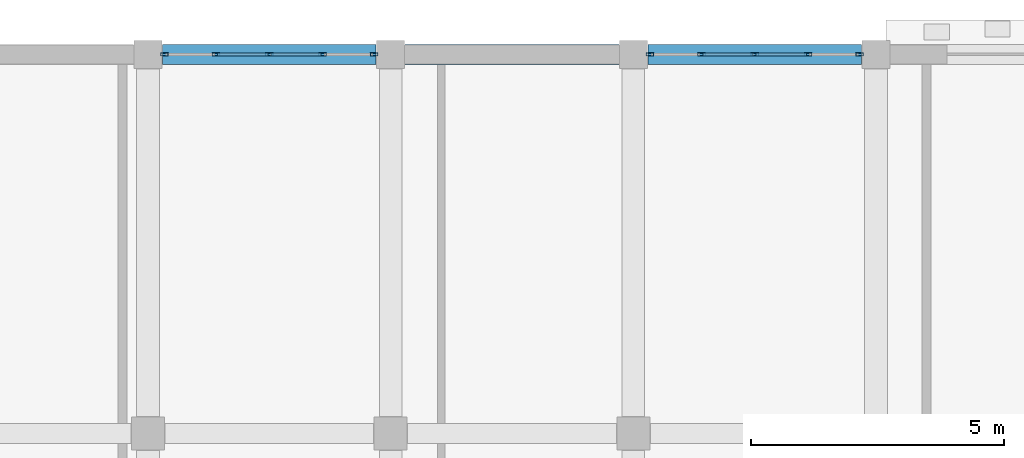
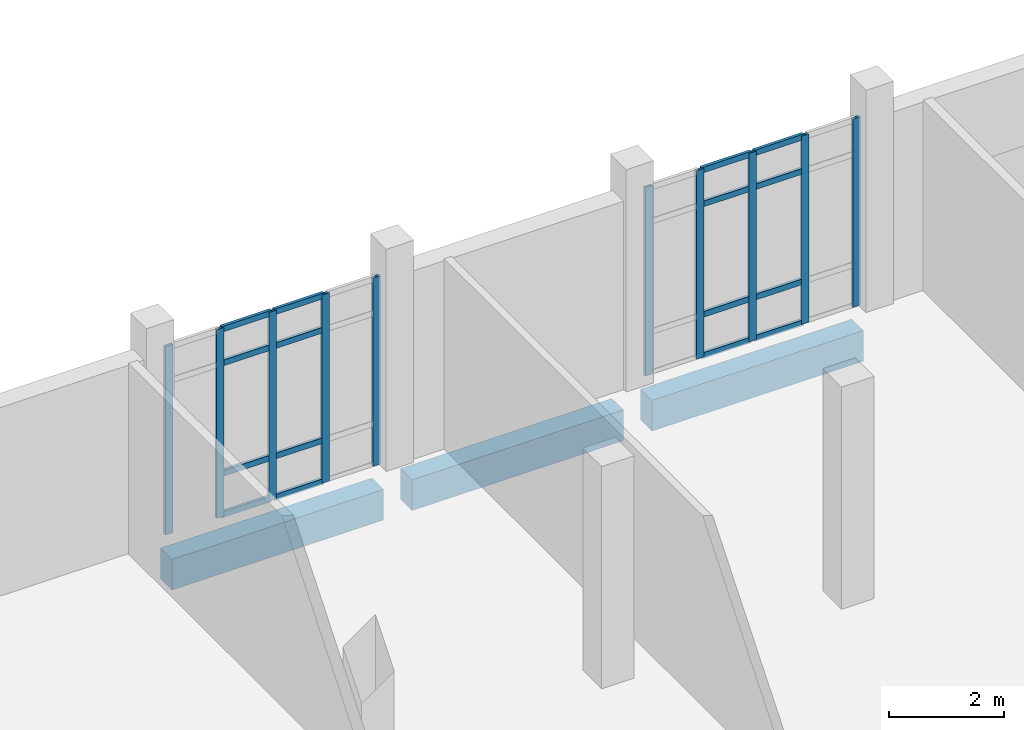
# One storey, part 81 of 173: 26 members, 3 beams, 2 elements without a shape of their own.
"""IFC4 building model written with IfcOpenShell, lengths in metres."""

from ifc_helpers import new_model, si_unit, direction, frame, origin, origin_2d, place, context, subcontext, project, spatial, rectangle, hollow_rectangle, extrude, material, layer, layer_set, material_profile, profile_set, type_object, element, aggregate, save


model = new_model("IFC4")

# Units and contexts
model_context = context("Model", 3, precision=1e-05, world=origin(), true_north=direction((0.0, 1.0)))
body_context = subcontext(model_context, "Body", "Model", "MODEL_VIEW")
ifc_project = project(units=[si_unit("LENGTHUNIT", "METRE"), si_unit("AREAUNIT", "SQUARE_METRE"), si_unit("VOLUMEUNIT", "CUBIC_METRE"), si_unit("PLANEANGLEUNIT", "RADIAN"), si_unit("MASSUNIT", "GRAM", prefix="KILO")], contexts=[model_context])

# Site, building, storey
site_placement = place(None, origin())
site = spatial("IfcSite", under=ifc_project, at=site_placement, CompositionType="ELEMENT")
building_placement = place(site_placement, origin())
building = spatial("IfcBuilding", under=site, at=building_placement, Name="Mawjan Specialist Oncology Clinic", CompositionType="ELEMENT")
storey_placement = place(building_placement, origin())
storey = spatial("IfcBuildingStorey", under=building, at=storey_placement, Name="L00", CompositionType="ELEMENT", Elevation=0.0)

# Curtain wall, members
ifc_material_1 = material(Name="Unitised spectrally selective aluminium curtain wall", Category="aluminium")
ifc_layer = layer(ifc_material_1, 0.179931640625, Name="Unitised spectrally selective aluminium curtain wall", Category="aluminium")
ifc_layer_set = layer_set([ifc_layer], Name="Unitised spectrally selective aluminium curtain wall")
curtain_wall_type = type_object("IfcCurtainWallType", Name="CW-13", PredefinedType="NOTDEFINED", material=ifc_layer_set)
curtain_wall_1_placement = place(storey_placement, origin())
curtain_wall_1 = element("IfcCurtainWall", 1, at=curtain_wall_1_placement, inside=storey, type_object=curtain_wall_type, Name="L00 Unitised Curtain Wall CW-L00-022", PredefinedType="NOTDEFINED")
ifc_material_2 = material(Name="Thermally broken aluminium 6063-T6", Category="aluminium")
ifc_material_profile_1 = material_profile(ifc_material_2, hollow_rectangle(XDim=0.06005859375, YDim=0.14990234375, WallThickness=0.00390625, at=origin_2d()), Name="ALU MULLION 150x60x4", Category="aluminium")
ifc_profile_set_1 = profile_set([ifc_material_profile_1], Name="Thermally broken aluminium 6063-T6")
member_type_1 = type_object("IfcMemberType", Name="CW-M150", PredefinedType="MULLION", material=ifc_profile_set_1)
member_1_placement = place(storey_placement, frame((65.125, 113.300048828125, 0.0), z_axis=(0.0, 0.0, 1.0), x_axis=(0.0, 1.0, 0.0)))
member_1 = element("IfcMember", 2, at=member_1_placement, type_object=member_type_1, Name="CW-13 mullion 1", PredefinedType="MULLION", context=body_context, shape_type="SweptSolid", body=[
    extrude(hollow_rectangle(XDim=0.06005859375, YDim=0.14990234375, WallThickness=0.00390625, at=origin_2d()), origin(), (0.0, 0.0, 1.0), 3.985107421875),
])
member_2_placement = place(storey_placement, frame((66.1474609375, 113.300048828125, 0.0), z_axis=(0.0, 0.0, 1.0), x_axis=(0.0, 1.0, 0.0)))
member_2 = element("IfcMember", 3, at=member_2_placement, type_object=member_type_1, Name="CW-13 mullion 2", PredefinedType="MULLION", context=body_context, shape_type="SweptSolid", body=[
    extrude(hollow_rectangle(XDim=0.06005859375, YDim=0.14990234375, WallThickness=0.00390625, at=origin_2d()), origin(), (0.0, 0.0, 1.0), 3.985107421875),
])
member_3_placement = place(storey_placement, frame((67.199951171875, 113.300048828125, 0.0), z_axis=(0.0, 0.0, 1.0), x_axis=(0.0, 1.0, 0.0)))
member_3 = element("IfcMember", 4, at=member_3_placement, type_object=member_type_1, Name="CW-13 mullion 3", PredefinedType="MULLION", context=body_context, shape_type="SweptSolid", body=[
    extrude(hollow_rectangle(XDim=0.06005859375, YDim=0.14990234375, WallThickness=0.00390625, at=origin_2d()), origin(), (0.0, 0.0, 1.0), 3.985107421875),
])
member_4_placement = place(storey_placement, frame((68.25244140625, 113.300048828125, 0.0), z_axis=(0.0, 0.0, 1.0), x_axis=(0.0, 1.0, 0.0)))
member_4 = element("IfcMember", 5, at=member_4_placement, type_object=member_type_1, Name="CW-13 mullion 4", PredefinedType="MULLION", context=body_context, shape_type="SweptSolid", body=[
    extrude(hollow_rectangle(XDim=0.06005859375, YDim=0.14990234375, WallThickness=0.00390625, at=origin_2d()), origin(), (0.0, 0.0, 1.0), 3.985107421875),
])
member_5_placement = place(storey_placement, frame((69.27490234375, 113.300048828125, 0.0), z_axis=(0.0, 0.0, 1.0), x_axis=(0.0, 1.0, 0.0)))
member_5 = element("IfcMember", 6, at=member_5_placement, type_object=member_type_1, Name="CW-13 mullion 5", PredefinedType="MULLION", context=body_context, shape_type="SweptSolid", body=[
    extrude(hollow_rectangle(XDim=0.06005859375, YDim=0.14990234375, WallThickness=0.00390625, at=origin_2d()), origin(), (0.0, 0.0, 1.0), 3.985107421875),
])

curtain_wall_2_placement = place(storey_placement, origin())
curtain_wall_2 = element("IfcCurtainWall", 7, at=curtain_wall_2_placement, inside=storey, type_object=curtain_wall_type, Name="L00 Unitised Curtain Wall CW-L00-023", PredefinedType="NOTDEFINED")
member_6_placement = place(storey_placement, frame((74.72509765625, 113.300048828125, 0.0), z_axis=(0.0, 0.0, 1.0), x_axis=(0.0, 1.0, 0.0)))
member_6 = element("IfcMember", 8, at=member_6_placement, type_object=member_type_1, Name="CW-13 mullion 1", PredefinedType="MULLION", context=body_context, shape_type="SweptSolid", body=[
    extrude(hollow_rectangle(XDim=0.06005859375, YDim=0.14990234375, WallThickness=0.00390625, at=origin_2d()), origin(), (0.0, 0.0, 1.0), 3.985107421875),
])
member_7_placement = place(storey_placement, frame((75.74755859375, 113.300048828125, 0.0), z_axis=(0.0, 0.0, 1.0), x_axis=(0.0, 1.0, 0.0)))
member_7 = element("IfcMember", 9, at=member_7_placement, type_object=member_type_1, Name="CW-13 mullion 2", PredefinedType="MULLION", context=body_context, shape_type="SweptSolid", body=[
    extrude(hollow_rectangle(XDim=0.06005859375, YDim=0.14990234375, WallThickness=0.00390625, at=origin_2d()), origin(), (0.0, 0.0, 1.0), 3.985107421875),
])
member_8_placement = place(storey_placement, frame((76.800048828125, 113.300048828125, 0.0), z_axis=(0.0, 0.0, 1.0), x_axis=(0.0, 1.0, 0.0)))
member_8 = element("IfcMember", 10, at=member_8_placement, type_object=member_type_1, Name="CW-13 mullion 3", PredefinedType="MULLION", context=body_context, shape_type="SweptSolid", body=[
    extrude(hollow_rectangle(XDim=0.06005859375, YDim=0.14990234375, WallThickness=0.00390625, at=origin_2d()), origin(), (0.0, 0.0, 1.0), 3.985107421875),
])
member_9_placement = place(storey_placement, frame((77.8525390625, 113.300048828125, 0.0), z_axis=(0.0, 0.0, 1.0), x_axis=(0.0, 1.0, 0.0)))
member_9 = element("IfcMember", 11, at=member_9_placement, type_object=member_type_1, Name="CW-13 mullion 4", PredefinedType="MULLION", context=body_context, shape_type="SweptSolid", body=[
    extrude(hollow_rectangle(XDim=0.06005859375, YDim=0.14990234375, WallThickness=0.00390625, at=origin_2d()), origin(), (0.0, 0.0, 1.0), 3.985107421875),
])
member_10_placement = place(storey_placement, frame((78.875, 113.300048828125, 0.0), z_axis=(0.0, 0.0, 1.0), x_axis=(0.0, 1.0, 0.0)))
member_10 = element("IfcMember", 12, at=member_10_placement, type_object=member_type_1, Name="CW-13 mullion 5", PredefinedType="MULLION", context=body_context, shape_type="SweptSolid", body=[
    extrude(hollow_rectangle(XDim=0.06005859375, YDim=0.14990234375, WallThickness=0.00390625, at=origin_2d()), origin(), (0.0, 0.0, 1.0), 3.985107421875),
])

# Member
ifc_material_3 = material(Name="Thermally broken aluminium 6063-T6", Category="aluminium")
ifc_material_profile_2 = material_profile(ifc_material_3, hollow_rectangle(XDim=0.06005859375, YDim=0.1201171875, WallThickness=0.00390625, at=origin_2d()), Name="ALU TRANSOM 120x60x4", Category="aluminium")
ifc_profile_set_2 = profile_set([ifc_material_profile_2], Name="Thermally broken aluminium 6063-T6")
member_type_2 = type_object("IfcMemberType", Name="CW-T120", PredefinedType="USERDEFINED", material=ifc_profile_set_2)
member_11_placement = place(storey_placement, frame((66.177490234375, 113.300048828125, 0.030029296875), z_axis=(1.0, 0.0, 0.0), x_axis=(0.0, 1.0, 0.0)))
member_11 = element("IfcMember", 13, at=member_11_placement, type_object=member_type_2, Name="CW-13 transom 2.1", ObjectType="TRANSOM", PredefinedType="USERDEFINED", context=body_context, shape_type="SweptSolid", body=[
    extrude(hollow_rectangle(XDim=0.06005859375, YDim=0.1201171875, WallThickness=0.00390625, at=origin_2d()), origin(), (0.0, 0.0, 1.0), 0.992431640625),
])

member_12_placement = place(storey_placement, frame((66.177490234375, 113.300048828125, 0.89990234375), z_axis=(1.0, 0.0, 0.0), x_axis=(0.0, 1.0, 0.0)))
member_12 = element("IfcMember", 14, at=member_12_placement, type_object=member_type_2, Name="CW-13 transom 2.2", ObjectType="TRANSOM", PredefinedType="USERDEFINED", context=body_context, shape_type="SweptSolid", body=[
    extrude(hollow_rectangle(XDim=0.06005859375, YDim=0.1201171875, WallThickness=0.00390625, at=origin_2d()), origin(), (0.0, 0.0, 1.0), 0.992431640625),
])

member_13_placement = place(storey_placement, frame((66.177490234375, 113.300048828125, 3.235107421875), z_axis=(1.0, 0.0, 0.0), x_axis=(0.0, 1.0, 0.0)))
member_13 = element("IfcMember", 15, at=member_13_placement, type_object=member_type_2, Name="CW-13 transom 2.3", ObjectType="TRANSOM", PredefinedType="USERDEFINED", context=body_context, shape_type="SweptSolid", body=[
    extrude(hollow_rectangle(XDim=0.06005859375, YDim=0.1201171875, WallThickness=0.00390625, at=origin_2d()), origin(), (0.0, 0.0, 1.0), 0.992431640625),
])

member_14_placement = place(storey_placement, frame((66.177490234375, 113.300048828125, 3.955078125), z_axis=(1.0, 0.0, 0.0), x_axis=(0.0, 1.0, 0.0)))
member_14 = element("IfcMember", 16, at=member_14_placement, type_object=member_type_2, Name="CW-13 transom 2.4", ObjectType="TRANSOM", PredefinedType="USERDEFINED", context=body_context, shape_type="SweptSolid", body=[
    extrude(hollow_rectangle(XDim=0.06005859375, YDim=0.1201171875, WallThickness=0.00390625, at=origin_2d()), origin(), (0.0, 0.0, 1.0), 0.992431640625),
])

member_15_placement = place(storey_placement, frame((67.22998046875, 113.300048828125, 0.030029296875), z_axis=(1.0, 0.0, 0.0), x_axis=(0.0, 1.0, 0.0)))
member_15 = element("IfcMember", 17, at=member_15_placement, type_object=member_type_2, Name="CW-13 transom 3.1", ObjectType="TRANSOM", PredefinedType="USERDEFINED", context=body_context, shape_type="SweptSolid", body=[
    extrude(hollow_rectangle(XDim=0.06005859375, YDim=0.1201171875, WallThickness=0.00390625, at=origin_2d()), origin(), (0.0, 0.0, 1.0), 0.992431640625),
])

member_16_placement = place(storey_placement, frame((67.22998046875, 113.300048828125, 0.89990234375), z_axis=(1.0, 0.0, 0.0), x_axis=(0.0, 1.0, 0.0)))
member_16 = element("IfcMember", 18, at=member_16_placement, type_object=member_type_2, Name="CW-13 transom 3.2", ObjectType="TRANSOM", PredefinedType="USERDEFINED", context=body_context, shape_type="SweptSolid", body=[
    extrude(hollow_rectangle(XDim=0.06005859375, YDim=0.1201171875, WallThickness=0.00390625, at=origin_2d()), origin(), (0.0, 0.0, 1.0), 0.992431640625),
])

member_17_placement = place(storey_placement, frame((67.22998046875, 113.300048828125, 3.235107421875), z_axis=(1.0, 0.0, 0.0), x_axis=(0.0, 1.0, 0.0)))
member_17 = element("IfcMember", 19, at=member_17_placement, type_object=member_type_2, Name="CW-13 transom 3.3", ObjectType="TRANSOM", PredefinedType="USERDEFINED", context=body_context, shape_type="SweptSolid", body=[
    extrude(hollow_rectangle(XDim=0.06005859375, YDim=0.1201171875, WallThickness=0.00390625, at=origin_2d()), origin(), (0.0, 0.0, 1.0), 0.992431640625),
])

member_18_placement = place(storey_placement, frame((67.22998046875, 113.300048828125, 3.955078125), z_axis=(1.0, 0.0, 0.0), x_axis=(0.0, 1.0, 0.0)))
member_18 = element("IfcMember", 20, at=member_18_placement, type_object=member_type_2, Name="CW-13 transom 3.4", ObjectType="TRANSOM", PredefinedType="USERDEFINED", context=body_context, shape_type="SweptSolid", body=[
    extrude(hollow_rectangle(XDim=0.06005859375, YDim=0.1201171875, WallThickness=0.00390625, at=origin_2d()), origin(), (0.0, 0.0, 1.0), 0.992431640625),
])

aggregate(curtain_wall_1, [member_1, member_2, member_3, member_4, member_5, member_11, member_12, member_13, member_14, member_15, member_16, member_17, member_18])

member_19_placement = place(storey_placement, frame((75.777587890625, 113.300048828125, 0.030029296875), z_axis=(1.0, 0.0, 0.0), x_axis=(0.0, 1.0, 0.0)))
member_19 = element("IfcMember", 21, at=member_19_placement, type_object=member_type_2, Name="CW-13 transom 2.1", ObjectType="TRANSOM", PredefinedType="USERDEFINED", context=body_context, shape_type="SweptSolid", body=[
    extrude(hollow_rectangle(XDim=0.06005859375, YDim=0.1201171875, WallThickness=0.00390625, at=origin_2d()), origin(), (0.0, 0.0, 1.0), 0.992431640625),
])

member_20_placement = place(storey_placement, frame((75.777587890625, 113.300048828125, 0.89990234375), z_axis=(1.0, 0.0, 0.0), x_axis=(0.0, 1.0, 0.0)))
member_20 = element("IfcMember", 22, at=member_20_placement, type_object=member_type_2, Name="CW-13 transom 2.2", ObjectType="TRANSOM", PredefinedType="USERDEFINED", context=body_context, shape_type="SweptSolid", body=[
    extrude(hollow_rectangle(XDim=0.06005859375, YDim=0.1201171875, WallThickness=0.00390625, at=origin_2d()), origin(), (0.0, 0.0, 1.0), 0.992431640625),
])

member_21_placement = place(storey_placement, frame((75.777587890625, 113.300048828125, 3.235107421875), z_axis=(1.0, 0.0, 0.0), x_axis=(0.0, 1.0, 0.0)))
member_21 = element("IfcMember", 23, at=member_21_placement, type_object=member_type_2, Name="CW-13 transom 2.3", ObjectType="TRANSOM", PredefinedType="USERDEFINED", context=body_context, shape_type="SweptSolid", body=[
    extrude(hollow_rectangle(XDim=0.06005859375, YDim=0.1201171875, WallThickness=0.00390625, at=origin_2d()), origin(), (0.0, 0.0, 1.0), 0.992431640625),
])

member_22_placement = place(storey_placement, frame((75.777587890625, 113.300048828125, 3.955078125), z_axis=(1.0, 0.0, 0.0), x_axis=(0.0, 1.0, 0.0)))
member_22 = element("IfcMember", 24, at=member_22_placement, type_object=member_type_2, Name="CW-13 transom 2.4", ObjectType="TRANSOM", PredefinedType="USERDEFINED", context=body_context, shape_type="SweptSolid", body=[
    extrude(hollow_rectangle(XDim=0.06005859375, YDim=0.1201171875, WallThickness=0.00390625, at=origin_2d()), origin(), (0.0, 0.0, 1.0), 0.992431640625),
])

member_23_placement = place(storey_placement, frame((76.830078125, 113.300048828125, 0.030029296875), z_axis=(1.0, 0.0, 0.0), x_axis=(0.0, 1.0, 0.0)))
member_23 = element("IfcMember", 25, at=member_23_placement, type_object=member_type_2, Name="CW-13 transom 3.1", ObjectType="TRANSOM", PredefinedType="USERDEFINED", context=body_context, shape_type="SweptSolid", body=[
    extrude(hollow_rectangle(XDim=0.06005859375, YDim=0.1201171875, WallThickness=0.00390625, at=origin_2d()), origin(), (0.0, 0.0, 1.0), 0.992431640625),
])

member_24_placement = place(storey_placement, frame((76.830078125, 113.300048828125, 0.89990234375), z_axis=(1.0, 0.0, 0.0), x_axis=(0.0, 1.0, 0.0)))
member_24 = element("IfcMember", 26, at=member_24_placement, type_object=member_type_2, Name="CW-13 transom 3.2", ObjectType="TRANSOM", PredefinedType="USERDEFINED", context=body_context, shape_type="SweptSolid", body=[
    extrude(hollow_rectangle(XDim=0.06005859375, YDim=0.1201171875, WallThickness=0.00390625, at=origin_2d()), origin(), (0.0, 0.0, 1.0), 0.992431640625),
])

member_25_placement = place(storey_placement, frame((76.830078125, 113.300048828125, 3.235107421875), z_axis=(1.0, 0.0, 0.0), x_axis=(0.0, 1.0, 0.0)))
member_25 = element("IfcMember", 27, at=member_25_placement, type_object=member_type_2, Name="CW-13 transom 3.3", ObjectType="TRANSOM", PredefinedType="USERDEFINED", context=body_context, shape_type="SweptSolid", body=[
    extrude(hollow_rectangle(XDim=0.06005859375, YDim=0.1201171875, WallThickness=0.00390625, at=origin_2d()), origin(), (0.0, 0.0, 1.0), 0.992431640625),
])

member_26_placement = place(storey_placement, frame((76.830078125, 113.300048828125, 3.955078125), z_axis=(1.0, 0.0, 0.0), x_axis=(0.0, 1.0, 0.0)))
member_26 = element("IfcMember", 28, at=member_26_placement, type_object=member_type_2, Name="CW-13 transom 3.4", ObjectType="TRANSOM", PredefinedType="USERDEFINED", context=body_context, shape_type="SweptSolid", body=[
    extrude(hollow_rectangle(XDim=0.06005859375, YDim=0.1201171875, WallThickness=0.00390625, at=origin_2d()), origin(), (0.0, 0.0, 1.0), 0.992431640625),
])

aggregate(curtain_wall_2, [member_6, member_7, member_8, member_9, member_10, member_19, member_20, member_21, member_22, member_23, member_24, member_25, member_26])

# Beams
ifc_material_4 = material(Name="Concrete C45/55", Category="concrete")
ifc_material_profile_3 = material_profile(ifc_material_4, rectangle(XDim=0.39990234375, YDim=0.64990234375, at=origin_2d()), Name="RC BM 400x650", Category="concrete")
ifc_profile_set_3 = profile_set([ifc_material_profile_3], Name="Concrete C45/55")
beam_type = type_object("IfcBeamType", Name="SP-400x650", PredefinedType="SPANDREL", material=ifc_profile_set_3)
for number, where, z_axis, x_axis, name in (
    (29, (65.0849609375, 113.300048828125, -0.7451171875), (1.0, 0.0, 0.0), (0.0, 1.0, 0.0), "L00 Spandrel Beam BM-L00-0105"),
    (30, (69.885009765625, 113.300048828125, -0.7451171875), (1.0, 0.0, 0.0), (0.0, 1.0, 0.0), "L00 Spandrel Beam BM-L00-0106"),
    (31, (74.68505859375, 113.300048828125, -0.7451171875), (1.0, 0.0, 0.0), (0.0, 1.0, 0.0), "L00 Spandrel Beam BM-L00-0107"),
):
    element("IfcBeam", number, at=place(storey_placement, frame(where, z_axis=z_axis, x_axis=x_axis)), inside=storey, type_object=beam_type, Name=name, PredefinedType="SPANDREL", context=body_context, shape_type="SweptSolid", body=[
        extrude(rectangle(XDim=0.39990234375, YDim=0.64990234375, at=origin_2d()), origin(), (0.0, 0.0, 1.0), 4.22998046875),
    ])

save(model, "model.ifc")
